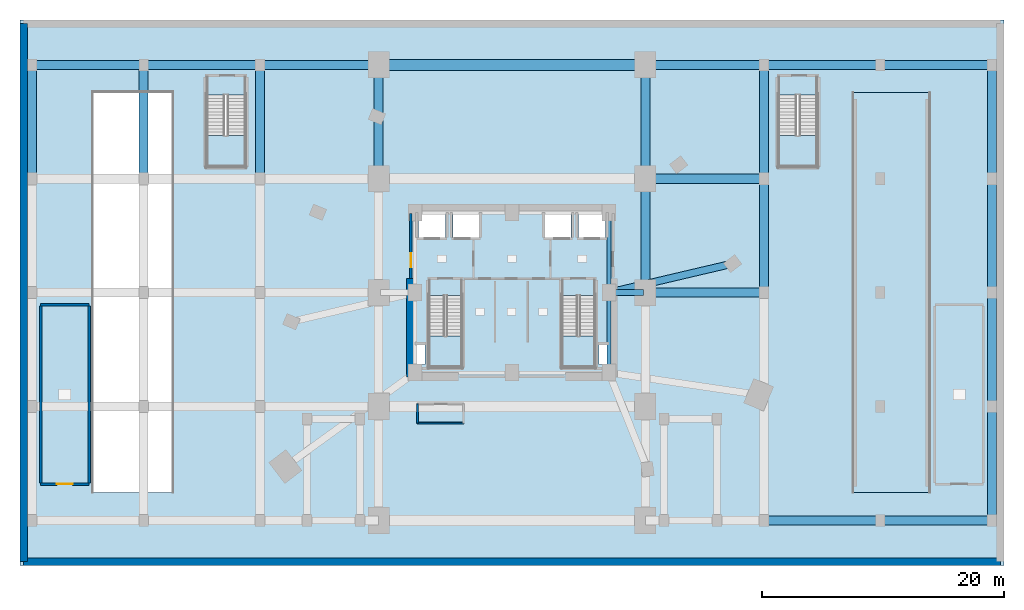
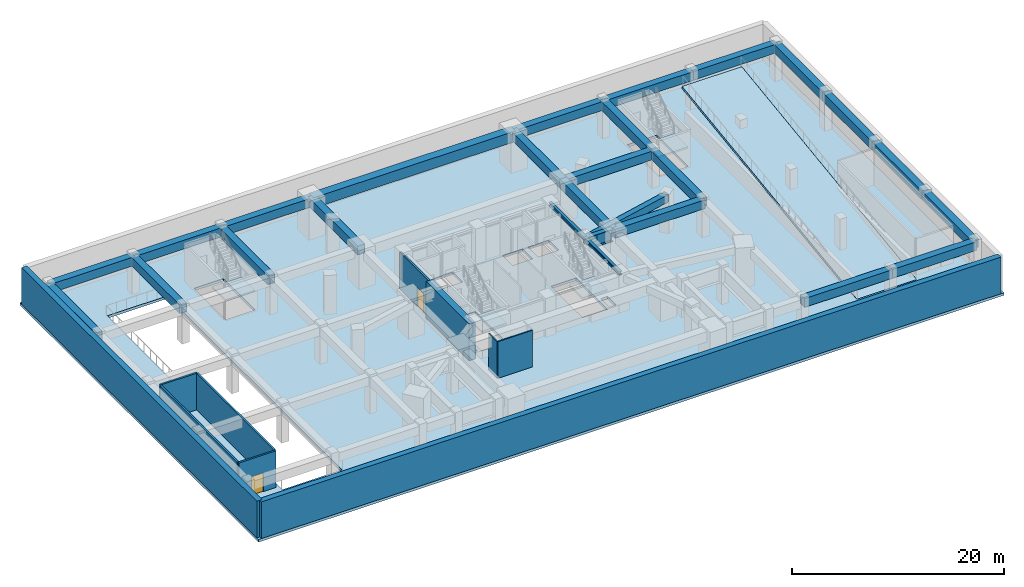
# One storey, part 2 of 9: 27 beams, 10 walls, 6 slabs, 2 doors, 2 openings, 4 elements without a shape of their own.
"""IFC4 building model written with IfcOpenShell, lengths in metres."""

from ifc_helpers import new_model, si_unit, direction, frame, frame_2d, origin, origin_2d, place, context, subcontext, project, spatial, polyline, rectangle, i_section, outline, extrude, material, layer, layer_set, material_profile, profile_set, type_object, element, fill, aggregate, save


model = new_model("IFC4")

# Units and contexts
model_context = context("Model", 3, precision=1e-05, world=origin(), true_north=direction((0.0, 1.0)))
body_context = subcontext(model_context, "Body", "Model", "MODEL_VIEW")
ifc_project = project(units=[si_unit("LENGTHUNIT", "METRE"), si_unit("AREAUNIT", "SQUARE_METRE"), si_unit("VOLUMEUNIT", "CUBIC_METRE"), si_unit("PLANEANGLEUNIT", "RADIAN"), si_unit("MASSUNIT", "GRAM", prefix="KILO")], contexts=[model_context])

# Site, building, storey
site_placement = place(None, origin())
site = spatial("IfcSite", under=ifc_project, at=site_placement, CompositionType="ELEMENT")
building_placement = place(site_placement, origin())
building = spatial("IfcBuilding", under=site, at=building_placement, Name="Ndelora Gate Hotel", CompositionType="ELEMENT")
storey_placement = place(building_placement, frame((0.0, 0.0, -4.5)))
storey = spatial("IfcBuildingStorey", under=building, at=storey_placement, Name="B01", CompositionType="ELEMENT", Elevation=-4.5)

# Beams
ifc_material_1 = material(Name="Steel S355", Category="steel")
ifc_material_profile_1 = material_profile(ifc_material_1, i_section(OverallWidth=0.300048828125, OverallDepth=0.39990234375, WebThickness=0.013427734375, FlangeThickness=0.02392578125, FilletRadius=0.027099609375, at=origin_2d()), Name="HEB 400")
ifc_profile_set_1 = profile_set([ifc_material_profile_1], Name="Steel S355")
beam_type_1 = type_object("IfcBeamType", Name="BM-CORE-400", PredefinedType="BEAM", material=ifc_profile_set_1)
for number, where, z_axis, x_axis, name in (
    (1, (8.0, -6.60009765625, 4.02001953125), (0.0, 1.0, 0.0), (-1.0, 0.0, 0.0), "B01 Core Tie Girder CC3-CC4"),
    (2, (8.0, 0.0, 4.02001953125), (0.0, 1.0, 0.0), (-1.0, 0.0, 0.0), "B01 Core Tie Girder CC4-CC5"),
):
    element("IfcBeam", number, at=place(storey_placement, frame(where, z_axis=z_axis, x_axis=x_axis)), inside=storey, type_object=beam_type_1, Name=name, PredefinedType="BEAM", context=body_context, shape_type="SweptSolid", body=[
        extrude(i_section(OverallWidth=0.300048828125, OverallDepth=0.39990234375, WebThickness=0.013427734375, FlangeThickness=0.02392578125, FilletRadius=0.027099609375, at=origin_2d()), origin(), (0.0, 0.0, 1.0), 6.60009765625),
    ])
ifc_material_2 = material(Name="Concrete C40/50", Category="concrete")
ifc_material_profile_2 = material_profile(ifc_material_2, rectangle(XDim=0.60009765625, YDim=0.85009765625, at=origin_2d()), Name="RCB 600x850")
ifc_profile_set_2 = profile_set([ifc_material_profile_2], Name="Concrete C40/50")
beam_type_2 = type_object("IfcBeamType", Name="BM-RC-600x850", PredefinedType="BEAM", material=ifc_profile_set_2)
beam_1_placement = place(storey_placement, frame((8.0, 0.0, 3.794921875), z_axis=(0.973517848051, 0.22861102232, 0.0), x_axis=(-0.22861102232, 0.973517848051, 0.0)))
element("IfcBeam", 3, at=beam_1_placement, inside=storey, type_object=beam_type_2, Name="B01 Tower Root Radial Tie Beam 10", PredefinedType="BEAM", context=body_context, shape_type="SweptSolid", body=[
    extrude(rectangle(XDim=0.60009765625, YDim=0.85009765625, at=origin_2d()), origin(), (0.0, 0.0, 1.0), 10.48486328125),
])
ifc_material_3 = material(Name="Concrete C50/60", Category="concrete")
ifc_material_profile_3 = material_profile(ifc_material_3, rectangle(XDim=0.75, YDim=1.0, at=origin_2d()), Name="RCB 750x1000")
ifc_profile_set_3 = profile_set([ifc_material_profile_3], Name="Concrete C50/60")
beam_type_3 = type_object("IfcBeamType", Name="BM-RC-750x1000", PredefinedType="BEAM", material=ifc_profile_set_3)
for number, where, z_axis, x_axis, name in (
    (4, (-39.60009765625, 9.39990234375, 3.719970703125), (0.0, 1.0, 0.0), (-1.0, 0.0, 0.0), "B01 Podium Longitudinal Girder X=-39.6"),
    (5, (-30.39990234375, 9.39990234375, 3.719970703125), (0.0, 1.0, 0.0), (-1.0, 0.0, 0.0), "B01 Podium Longitudinal Girder X=-30.4"),
    (6, (-20.800048828125, 9.39990234375, 3.719970703125), (0.0, 1.0, 0.0), (-1.0, 0.0, 0.0), "B01 Podium Longitudinal Girder X=-20.8"),
    (7, (-11.0, 9.39990234375, 3.719970703125), (0.0, 1.0, 0.0), (-1.0, 0.0, 0.0), "B01 Podium Longitudinal Girder X=-11.0"),
):
    element("IfcBeam", number, at=place(storey_placement, frame(where, z_axis=z_axis, x_axis=x_axis)), inside=storey, type_object=beam_type_3, Name=name, PredefinedType="BEAM", context=body_context, shape_type="SweptSolid", body=[
        extrude(rectangle(XDim=0.75, YDim=1.0, at=origin_2d()), origin(), (0.0, 0.0, 1.0), 9.400146484375),
    ])
beam_2_placement = place(storey_placement, frame((11.0, 0.0, 3.719970703125), z_axis=(0.0, 1.0, 0.0), x_axis=(-1.0, 0.0, 0.0)))
element("IfcBeam", 8, at=beam_2_placement, inside=storey, type_object=beam_type_3, Name="B01 Podium Longitudinal Girder X=+11.0", PredefinedType="BEAM", context=body_context, shape_type="SweptSolid", body=[
    extrude(rectangle(XDim=0.75, YDim=1.0, at=origin_2d()), origin(), (0.0, 0.0, 1.0), 9.39990234375),
])
beam_3_placement = place(storey_placement, frame((11.0, 9.39990234375, 3.719970703125), z_axis=(0.0, 1.0, 0.0), x_axis=(-1.0, 0.0, 0.0)))
element("IfcBeam", 9, at=beam_3_placement, inside=storey, type_object=beam_type_3, Name="B01 Podium Longitudinal Girder X=+11.0", PredefinedType="BEAM", context=body_context, shape_type="SweptSolid", body=[
    extrude(rectangle(XDim=0.75, YDim=1.0, at=origin_2d()), origin(), (0.0, 0.0, 1.0), 9.400146484375),
])
beam_4_placement = place(storey_placement, frame((20.800048828125, 0.0, 3.719970703125), z_axis=(0.0, 1.0, 0.0), x_axis=(-1.0, 0.0, 0.0)))
element("IfcBeam", 10, at=beam_4_placement, inside=storey, type_object=beam_type_3, Name="B01 Podium Longitudinal Girder X=+20.8", PredefinedType="BEAM", context=body_context, shape_type="SweptSolid", body=[
    extrude(rectangle(XDim=0.75, YDim=1.0, at=origin_2d()), origin(), (0.0, 0.0, 1.0), 9.39990234375),
])
for number, where, z_axis, x_axis, name in (
    (11, (20.800048828125, 9.39990234375, 3.719970703125), (0.0, 1.0, 0.0), (-1.0, 0.0, 0.0), "B01 Podium Longitudinal Girder X=+20.8"),
    (12, (39.60009765625, -18.800048828125, 3.719970703125), (0.0, 1.0, 0.0), (-1.0, 0.0, 0.0), "B01 Podium Longitudinal Girder X=+39.6"),
):
    element("IfcBeam", number, at=place(storey_placement, frame(where, z_axis=z_axis, x_axis=x_axis)), inside=storey, type_object=beam_type_3, Name=name, PredefinedType="BEAM", context=body_context, shape_type="SweptSolid", body=[
        extrude(rectangle(XDim=0.75, YDim=1.0, at=origin_2d()), origin(), (0.0, 0.0, 1.0), 9.400146484375),
    ])
for number, where, z_axis, x_axis, name in (
    (13, (39.60009765625, -9.39990234375, 3.719970703125), (0.0, 1.0, 0.0), (-1.0, 0.0, 0.0), "B01 Podium Longitudinal Girder X=+39.6"),
    (14, (39.60009765625, 0.0, 3.719970703125), (0.0, 1.0, 0.0), (-1.0, 0.0, 0.0), "B01 Podium Longitudinal Girder X=+39.6"),
):
    element("IfcBeam", number, at=place(storey_placement, frame(where, z_axis=z_axis, x_axis=x_axis)), inside=storey, type_object=beam_type_3, Name=name, PredefinedType="BEAM", context=body_context, shape_type="SweptSolid", body=[
        extrude(rectangle(XDim=0.75, YDim=1.0, at=origin_2d()), origin(), (0.0, 0.0, 1.0), 9.39990234375),
    ])
beam_5_placement = place(storey_placement, frame((39.60009765625, 9.39990234375, 3.719970703125), z_axis=(0.0, 1.0, 0.0), x_axis=(-1.0, 0.0, 0.0)))
element("IfcBeam", 15, at=beam_5_placement, inside=storey, type_object=beam_type_3, Name="B01 Podium Longitudinal Girder X=+39.6", PredefinedType="BEAM", context=body_context, shape_type="SweptSolid", body=[
    extrude(rectangle(XDim=0.75, YDim=1.0, at=origin_2d()), origin(), (0.0, 0.0, 1.0), 9.400146484375),
])
beam_6_placement = place(storey_placement, frame((20.800048828125, -18.800048828125, 3.719970703125), z_axis=(1.0, 0.0, 0.0), x_axis=(0.0, 1.0, 0.0)))
element("IfcBeam", 16, at=beam_6_placement, inside=storey, type_object=beam_type_3, Name="B01 Podium Transverse Girder Y=-18.8", PredefinedType="BEAM", context=body_context, shape_type="SweptSolid", body=[
    extrude(rectangle(XDim=0.75, YDim=1.0, at=origin_2d()), origin(), (0.0, 0.0, 1.0), 9.599853515625),
])
beam_7_placement = place(storey_placement, frame((30.39990234375, -18.800048828125, 3.719970703125), z_axis=(1.0, 0.0, 0.0), x_axis=(0.0, 1.0, 0.0)))
element("IfcBeam", 17, at=beam_7_placement, inside=storey, type_object=beam_type_3, Name="B01 Podium Transverse Girder Y=-18.8", PredefinedType="BEAM", context=body_context, shape_type="SweptSolid", body=[
    extrude(rectangle(XDim=0.75, YDim=1.0, at=origin_2d()), origin(), (0.0, 0.0, 1.0), 9.2001953125),
])
for number, where, z_axis, x_axis, name in (
    (18, (11.0, 0.0, 3.719970703125), (1.0, 0.0, 0.0), (0.0, 1.0, 0.0), "B01 Podium Transverse Girder Y=+0.0"),
    (19, (11.0, 9.39990234375, 3.719970703125), (1.0, 0.0, 0.0), (0.0, 1.0, 0.0), "B01 Podium Transverse Girder Y=+9.4"),
):
    element("IfcBeam", number, at=place(storey_placement, frame(where, z_axis=z_axis, x_axis=x_axis)), inside=storey, type_object=beam_type_3, Name=name, PredefinedType="BEAM", context=body_context, shape_type="SweptSolid", body=[
        extrude(rectangle(XDim=0.75, YDim=1.0, at=origin_2d()), origin(), (0.0, 0.0, 1.0), 9.800048828125),
    ])
beam_8_placement = place(storey_placement, frame((-39.60009765625, 18.800048828125, 3.719970703125), z_axis=(1.0, 0.0, 0.0), x_axis=(0.0, 1.0, 0.0)))
element("IfcBeam", 20, at=beam_8_placement, inside=storey, type_object=beam_type_3, Name="B01 Podium Transverse Girder Y=+18.8", PredefinedType="BEAM", context=body_context, shape_type="SweptSolid", body=[
    extrude(rectangle(XDim=0.75, YDim=1.0, at=origin_2d()), origin(), (0.0, 0.0, 1.0), 9.2001953125),
])
beam_9_placement = place(storey_placement, frame((-30.39990234375, 18.800048828125, 3.719970703125), z_axis=(1.0, 0.0, 0.0), x_axis=(0.0, 1.0, 0.0)))
element("IfcBeam", 21, at=beam_9_placement, inside=storey, type_object=beam_type_3, Name="B01 Podium Transverse Girder Y=+18.8", PredefinedType="BEAM", context=body_context, shape_type="SweptSolid", body=[
    extrude(rectangle(XDim=0.75, YDim=1.0, at=origin_2d()), origin(), (0.0, 0.0, 1.0), 9.599853515625),
])
for number, where, z_axis, x_axis, name in (
    (22, (-20.800048828125, 18.800048828125, 3.719970703125), (1.0, 0.0, 0.0), (0.0, 1.0, 0.0), "B01 Podium Transverse Girder Y=+18.8"),
    (23, (11.0, 18.800048828125, 3.719970703125), (1.0, 0.0, 0.0), (0.0, 1.0, 0.0), "B01 Podium Transverse Girder Y=+18.8"),
):
    element("IfcBeam", number, at=place(storey_placement, frame(where, z_axis=z_axis, x_axis=x_axis)), inside=storey, type_object=beam_type_3, Name=name, PredefinedType="BEAM", context=body_context, shape_type="SweptSolid", body=[
        extrude(rectangle(XDim=0.75, YDim=1.0, at=origin_2d()), origin(), (0.0, 0.0, 1.0), 9.800048828125),
    ])
beam_10_placement = place(storey_placement, frame((20.800048828125, 18.800048828125, 3.719970703125), z_axis=(1.0, 0.0, 0.0), x_axis=(0.0, 1.0, 0.0)))
element("IfcBeam", 24, at=beam_10_placement, inside=storey, type_object=beam_type_3, Name="B01 Podium Transverse Girder Y=+18.8", PredefinedType="BEAM", context=body_context, shape_type="SweptSolid", body=[
    extrude(rectangle(XDim=0.75, YDim=1.0, at=origin_2d()), origin(), (0.0, 0.0, 1.0), 9.599853515625),
])
beam_11_placement = place(storey_placement, frame((30.39990234375, 18.800048828125, 3.719970703125), z_axis=(1.0, 0.0, 0.0), x_axis=(0.0, 1.0, 0.0)))
element("IfcBeam", 25, at=beam_11_placement, inside=storey, type_object=beam_type_3, Name="B01 Podium Transverse Girder Y=+18.8", PredefinedType="BEAM", context=body_context, shape_type="SweptSolid", body=[
    extrude(rectangle(XDim=0.75, YDim=1.0, at=origin_2d()), origin(), (0.0, 0.0, 1.0), 9.2001953125),
])
ifc_material_profile_4 = material_profile(ifc_material_3, rectangle(XDim=0.89990234375, YDim=1.199951171875, at=origin_2d()), Name="RCB 900x1200")
ifc_profile_set_4 = profile_set([ifc_material_profile_4], Name="Concrete C50/60")
beam_type_4 = type_object("IfcBeamType", Name="BM-RC-900x1200", PredefinedType="BEAM", material=ifc_profile_set_4)
beam_12_placement = place(storey_placement, frame((-11.0, 18.800048828125, 3.6201171875), z_axis=(1.0, 0.0, 0.0), x_axis=(0.0, 1.0, 0.0)))
element("IfcBeam", 26, at=beam_12_placement, inside=storey, type_object=beam_type_4, Name="B01 structural beam RCB-1", PredefinedType="BEAM", context=body_context, shape_type="SweptSolid", body=[
    extrude(rectangle(XDim=0.89990234375, YDim=1.199951171875, at=origin_2d()), origin(), (0.0, 0.0, 1.0), 22.0),
])
ifc_material_4 = material(Name="Steel S460", Category="steel")
ifc_material_profile_5 = material_profile(ifc_material_4, i_section(OverallWidth=0.5, OverallDepth=1.39990234375, WebThickness=0.02392578125, FlangeThickness=0.035888671875, FilletRadius=0.02197265625, at=origin_2d()), Name="PG 1400x500x36")
ifc_profile_set_5 = profile_set([ifc_material_profile_5], Name="Steel S460")
beam_type_5 = type_object("IfcBeamType", Name="BM-TR-1400", PredefinedType="BEAM", material=ifc_profile_set_5)
beam_13_placement = place(storey_placement, frame((8.5, 0.0, 3.52001953125), z_axis=(1.0, 0.0, 0.0), x_axis=(0.0, 1.0, 0.0)))
element("IfcBeam", 27, at=beam_13_placement, inside=storey, type_object=beam_type_5, Name="B01 structural beam TG-3", PredefinedType="BEAM", context=body_context, shape_type="SweptSolid", body=[
    extrude(i_section(OverallWidth=0.5, OverallDepth=1.39990234375, WebThickness=0.02392578125, FlangeThickness=0.035888671875, FilletRadius=0.02197265625, at=origin_2d()), origin(), (0.0, 0.0, 1.0), 2.35009765625),
])

# Slab
ifc_layer_1 = layer(ifc_material_2, 0.300048828125)
ifc_layer_set_1 = layer_set([ifc_layer_1], Name="Concrete C40/50")
slab_type_1 = type_object("IfcSlabType", Name="SL-BSM-300", PredefinedType="FLOOR", material=ifc_layer_set_1)
slab_1_placement = place(storey_placement, frame((0.0, 0.0, -0.300048828125)))
element("IfcSlab", 28, at=slab_1_placement, inside=storey, type_object=slab_type_1, Name="B01 Structural Floor Slab", PredefinedType="FLOOR", context=body_context, shape_type="SweptSolid", body=[
    extrude(outline(polyline([(-40.60009765625, -22.5), (40.60009765625, -22.5), (40.60009765625, 22.5), (-40.60009765625, 22.5), (-40.60009765625, -22.5)]), holes=[polyline([(-6.85009765625, -0.22998046875), (-6.85009765625, -6.14990234375), (-4.1298828125, -6.14990234375), (-4.1298828125, -0.22998046875), (-6.85009765625, -0.22998046875)]), polyline([(4.1298828125, -0.22998046875), (4.1298828125, -6.14990234375), (6.85009765625, -6.14990234375), (6.85009765625, -0.22998046875), (4.1298828125, -0.22998046875)]), polyline([(-25.199951171875, 16.320068359375), (-25.199951171875, 10.39990234375), (-22.0, 10.39990234375), (-22.0, 16.320068359375), (-25.199951171875, 16.320068359375)]), polyline([(22.0, 16.320068359375), (22.0, 10.39990234375), (25.199951171875, 10.39990234375), (25.199951171875, 16.320068359375), (22.0, 16.320068359375)]), polyline([(-7.72998046875, 4.570068359375), (-5.469970703125, 4.570068359375), (-5.469970703125, 6.429931640625), (-7.72998046875, 6.429931640625), (-7.72998046875, 4.570068359375)]), polyline([(5.469970703125, 4.570068359375), (7.72998046875, 4.570068359375), (7.72998046875, 6.429931640625), (5.469970703125, 6.429931640625), (5.469970703125, 4.570068359375)]), polyline([(-4.8798828125, 4.570068359375), (-2.719970703125, 4.570068359375), (-2.719970703125, 6.429931640625), (-4.8798828125, 6.429931640625), (-4.8798828125, 4.570068359375)]), polyline([(2.719970703125, 4.570068359375), (4.8798828125, 4.570068359375), (4.8798828125, 6.429931640625), (2.719970703125, 6.429931640625), (2.719970703125, 4.570068359375)]), polyline([(-7.89990234375, -5.919921875), (-7.179931640625, -5.919921875), (-7.179931640625, -4.320068359375), (-7.89990234375, -4.320068359375), (-7.89990234375, -5.919921875)]), polyline([(7.179931640625, -5.919921875), (7.89990234375, -5.919921875), (7.89990234375, -4.320068359375), (7.179931640625, -4.320068359375), (7.179931640625, -5.919921875)]), polyline([(-34.550048828125, -16.5), (-28.050048828125, -16.5), (-28.050048828125, 16.5), (-34.550048828125, 16.5), (-34.550048828125, -16.5)])]), origin(), (0.0, 0.0, 1.0), 0.300048828125),
])

# Stair, slab
ifc_material_5 = material(Name="Precast concrete C40/50", Category="concrete")
stair_type = type_object("IfcStairType", Name="STR-DOG-CORE", PredefinedType="HALF_TURN_STAIR", material=ifc_material_5)
stair_1_placement = place(storey_placement, origin())
stair_1 = element("IfcStair", 29, at=stair_1_placement, inside=storey, type_object=stair_type, Name="B01 Protected Core Exit Stair ST4", PredefinedType="HALF_TURN_STAIR")
ifc_layer_2 = layer(ifc_material_5, 0.219970703125)
ifc_layer_set_2 = layer_set([ifc_layer_2], Name="Precast concrete C40/50")
slab_type_2 = type_object("IfcSlabType", Name="SL-LAND-220", PredefinedType="LANDING", material=ifc_layer_set_2)
slab_2_placement = place(storey_placement, frame((0.0, 0.0, 2.050048828125)))
slab_2 = element("IfcSlab", 30, at=slab_2_placement, type_object=slab_type_2, Name="ST4 landing 1", PredefinedType="LANDING", context=body_context, shape_type="SweptSolid", body=[
    extrude(outline(polyline([(-6.85009765625, -3.590087890625), (-6.85009765625, -6.14990234375), (-4.1298828125, -6.14990234375), (-4.1298828125, -3.590087890625), (-6.85009765625, -3.590087890625)])), origin(), (0.0, 0.0, 1.0), 0.199951171875),
])
aggregate(stair_1, [slab_2])

stair_2_placement = place(storey_placement, origin())
stair_2 = element("IfcStair", 31, at=stair_2_placement, inside=storey, type_object=stair_type, Name="B01 Protected Core Exit Stair ST5", PredefinedType="HALF_TURN_STAIR")
slab_3_placement = place(storey_placement, frame((0.0, 0.0, 2.050048828125)))
slab_3 = element("IfcSlab", 32, at=slab_3_placement, type_object=slab_type_2, Name="ST5 landing 1", PredefinedType="LANDING", context=body_context, shape_type="SweptSolid", body=[
    extrude(outline(polyline([(4.1298828125, -3.590087890625), (4.1298828125, -6.14990234375), (6.85009765625, -6.14990234375), (6.85009765625, -3.590087890625), (4.1298828125, -3.590087890625)])), origin(), (0.0, 0.0, 1.0), 0.199951171875),
])
aggregate(stair_2, [slab_3])

stair_3_placement = place(storey_placement, origin())
stair_3 = element("IfcStair", 33, at=stair_3_placement, inside=storey, type_object=stair_type, Name="B01 Basement Escape Stair ST1", PredefinedType="HALF_TURN_STAIR")
slab_4_placement = place(storey_placement, frame((0.0, 0.0, 2.050048828125)))
slab_4 = element("IfcSlab", 34, at=slab_4_placement, type_object=slab_type_2, Name="ST1 landing 1", PredefinedType="LANDING", context=body_context, shape_type="SweptSolid", body=[
    extrude(outline(polyline([(-25.199951171875, 12.9599609375), (-25.199951171875, 10.39990234375), (-22.0, 10.39990234375), (-22.0, 12.9599609375), (-25.199951171875, 12.9599609375)])), origin(), (0.0, 0.0, 1.0), 0.199951171875),
])
aggregate(stair_3, [slab_4])

stair_4_placement = place(storey_placement, origin())
stair_4 = element("IfcStair", 35, at=stair_4_placement, inside=storey, type_object=stair_type, Name="B01 Basement Escape Stair ST2", PredefinedType="HALF_TURN_STAIR")
slab_5_placement = place(storey_placement, frame((0.0, 0.0, 2.050048828125)))
slab_5 = element("IfcSlab", 36, at=slab_5_placement, type_object=slab_type_2, Name="ST2 landing 1", PredefinedType="LANDING", context=body_context, shape_type="SweptSolid", body=[
    extrude(outline(polyline([(22.0, 12.9599609375), (22.0, 10.39990234375), (25.199951171875, 10.39990234375), (25.199951171875, 12.9599609375), (22.0, 12.9599609375)])), origin(), (0.0, 0.0, 1.0), 0.199951171875),
])
aggregate(stair_4, [slab_5])

# Slab
ifc_layer_3 = layer(ifc_material_2, 0.25)
ifc_layer_set_3 = layer_set([ifc_layer_3], Name="Concrete C40/50")
slab_type_3 = type_object("IfcSlabType", Name="SL-VEH-RAMP-250", PredefinedType="FLOOR", material=ifc_layer_set_3)
slab_6_placement = place(storey_placement, frame((28.050048828125, -16.5, 0.0), z_axis=(0.0, -0.135113204733, 0.990830168044), x_axis=(1.0, 0.0, 0.0)))
element("IfcSlab", 37, at=slab_6_placement, inside=storey, type_object=slab_type_3, Name="Car Park Vehicle Ramp Slab R1", PredefinedType="FLOOR", context=body_context, shape_type="SweptSolid", body=[
    extrude(outline(polyline([(0.0, 0.0), (6.5, 0.0), (6.5, 33.30540496676178), (0.0, 33.30540496676178), (0.0, 0.0)])), origin(), (0.0, 0.0, -1.0), 0.25),
])

# Wall
ifc_material_6 = material(Name="Concrete C60/75", Category="concrete")
ifc_layer_4 = layer(ifc_material_6, 0.699951171875)
ifc_layer_set_4 = layer_set([ifc_layer_4], Name="Concrete C60/75")
wall_type_1 = type_object("IfcWallType", Name="WL-CORE-700", PredefinedType="SHEAR", material=ifc_layer_set_4)
wall_1_placement = place(storey_placement, frame((-8.35009765625, -6.949951171875, 0.0), z_axis=(0.0, 0.0, 1.0), x_axis=(0.0, 1.0, 0.0)))
element("IfcWall", 38, at=wall_1_placement, inside=storey, type_object=wall_type_1, Name="B01 Core Shear Wall W", PredefinedType="SHEAR", context=body_context, shape_type="SweptSolid", body=[
    extrude(rectangle(XDim=8.099853515625, YDim=0.699951171875, at=frame_2d((4.0498046875, 0.0))), origin(), (0.0, 0.0, 1.0), 4.219970703125),
])

# Wall, opening, door
ifc_layer_5 = layer(ifc_material_2, 0.199951171875)
ifc_layer_set_5 = layer_set([ifc_layer_5], Name="Concrete C40/50")
wall_type_2 = type_object("IfcWallType", Name="WL-FIRE-200", PredefinedType="PARTITIONING", material=ifc_layer_set_5)
wall_2_placement = place(storey_placement, frame((-8.35009765625, 1.14990234375, 0.0), z_axis=(0.0, 0.0, 1.0), x_axis=(0.0, 1.0, 0.0)))
wall_2 = element("IfcWall", 39, at=wall_2_placement, inside=storey, type_object=wall_type_2, Name="B01 Interior Wall IW-2", PredefinedType="PARTITIONING", context=body_context, shape_type="SweptSolid", body=[
    extrude(rectangle(XDim=5.400146484375, YDim=0.199951171875, at=frame_2d((2.7001953125, 0.0))), origin(), (0.0, 0.0, 1.0), 4.219970703125),
])
opening_1_placement = place(wall_2_placement, frame((0.949951171875, 0.0, 0.0)))
opening_1 = element("IfcOpeningElement", 40, at=opening_1_placement, cuts=wall_2, Name="Opening FD1", PredefinedType="OPENING", context=body_context, shape_type="SweptSolid", body=[
    extrude(rectangle(XDim=1.14990234375, YDim=2.14990234375, at=frame_2d((0.574951171875, 1.074951171875))), frame((0.0, 0.10986328125, 0.0), z_axis=(0.0, -1.0, 0.0), x_axis=(1.0, 0.0, 0.0)), (0.0, 0.0, 1.0), 0.219970703125),
])
ifc_material_7 = material(Name="Fire-Rated Timber-Veneer Steel Core", Category="steel")
door_type_1 = type_object("IfcDoorType", Name="DR-FD60", OperationType="SINGLE_SWING_LEFT", PredefinedType="DOOR", material=ifc_material_7)
door_1_placement = place(opening_1_placement, origin())
door_1 = element("IfcDoor", 41, at=door_1_placement, inside=storey, type_object=door_type_1, Name="B01 Firefighting Lobby West Corridor Door", OperationType="SINGLE_SWING_LEFT", OverallHeight=2.14990234375, OverallWidth=1.14990234375, PredefinedType="DOOR", context=body_context, shape_type="SweptSolid", body=[
    extrude(rectangle(XDim=1.14990234375, YDim=2.14990234375, at=frame_2d((0.574951171875, 1.074951171875))), frame((0.0, 0.02490234375, 0.0), z_axis=(0.0, -1.0, 0.0), x_axis=(1.0, 0.0, 0.0)), (0.0, 0.0, 1.0), 0.050048828125),
])
fill(opening_1, door_1)

# Wall
wall_3_placement = place(storey_placement, frame((-38.89990234375, -1.0, 0.0), z_axis=(0.0, 0.0, 1.0), x_axis=(1.0, 0.0, 0.0)))
element("IfcWall", 42, at=wall_3_placement, inside=storey, type_object=wall_type_2, Name="B01 Interior Wall IW-2", PredefinedType="PARTITIONING", context=body_context, shape_type="SweptSolid", body=[
    extrude(rectangle(XDim=4.0, YDim=0.199951171875, at=frame_2d((2.0, 0.0))), origin(), (0.0, 0.0, 1.0), 4.219970703125),
])

# Wall, opening, door
wall_4_placement = place(storey_placement, frame((-38.89990234375, -15.800048828125, 0.0), z_axis=(0.0, 0.0, 1.0), x_axis=(1.0, 0.0, 0.0)))
wall_4 = element("IfcWall", 43, at=wall_4_placement, inside=storey, type_object=wall_type_2, Name="B01 Interior Wall IW-2", PredefinedType="PARTITIONING", context=body_context, shape_type="SweptSolid", body=[
    extrude(rectangle(XDim=4.0, YDim=0.199951171875, at=frame_2d((2.0, 0.0))), origin(), (0.0, 0.0, 1.0), 4.219970703125),
])
opening_2_placement = place(wall_4_placement, frame((1.35009765625, 0.0, 0.0)))
opening_2 = element("IfcOpeningElement", 44, at=opening_2_placement, cuts=wall_4, Name="Opening FD3", PredefinedType="OPENING", context=body_context, shape_type="SweptSolid", body=[
    extrude(rectangle(XDim=1.300048828125, YDim=2.14990234375, at=frame_2d((0.64990234375, 1.074951171875))), frame((0.0, 0.10986328125, 0.0), z_axis=(0.0, -1.0, 0.0), x_axis=(1.0, 0.0, 0.0)), (0.0, 0.0, 1.0), 0.219970703125),
])
ifc_material_8 = material(Name="Insulated Steel Plant Room Fire Door", Category="steel")
door_type_2 = type_object("IfcDoorType", Name="DR-PLT-1300", OperationType="SINGLE_SWING_LEFT", PredefinedType="DOOR", material=ifc_material_8)
door_2_placement = place(opening_2_placement, origin())
door_2 = element("IfcDoor", 45, at=door_2_placement, inside=storey, type_object=door_type_2, Name="B01 BOH Receiving and Housekeeping Stores Door", OperationType="SINGLE_SWING_LEFT", OverallHeight=2.14990234375, OverallWidth=1.300048828125, PredefinedType="DOOR", context=body_context, shape_type="SweptSolid", body=[
    extrude(rectangle(XDim=1.300048828125, YDim=2.14990234375, at=frame_2d((0.64990234375, 1.074951171875))), frame((0.0, 0.02490234375, 0.0), z_axis=(0.0, -1.0, 0.0), x_axis=(1.0, 0.0, 0.0)), (0.0, 0.0, 1.0), 0.050048828125),
])
fill(opening_2, door_2)

# Walls
for number, where, z_axis, x_axis, name in (
    (46, (-38.89990234375, -1.110107421875, 0.0), (0.0, 0.0, 1.0), (0.0, -1.0, 0.0), "B01 Interior Wall IW-2"),
    (47, (-34.89990234375, -15.68994140625, 0.0), (0.0, 0.0, 1.0), (0.0, 1.0, 0.0), "B01 Interior Wall IW-2"),
):
    element("IfcWall", number, at=place(storey_placement, frame(where, z_axis=z_axis, x_axis=x_axis)), inside=storey, type_object=wall_type_2, Name=name, PredefinedType="PARTITIONING", context=body_context, shape_type="SweptSolid", body=[
        extrude(rectangle(XDim=14.579833984375, YDim=0.199951171875, at=frame_2d((7.2900390625, 0.0))), origin(), (0.0, 0.0, 1.0), 4.219970703125),
    ])
ifc_layer_6 = layer(ifc_material_2, 0.60009765625)
ifc_layer_set_6 = layer_set([ifc_layer_6], Name="Concrete C40/50")
wall_type_3 = type_object("IfcWallType", Name="WL-RET-600", PredefinedType="SOLIDWALL", material=ifc_layer_set_6)
wall_5_placement = place(storey_placement, frame((-40.300048828125, -22.199951171875, 0.0), z_axis=(0.0, 0.0, 1.0), x_axis=(1.0, 0.0, 0.0)))
element("IfcWall", 48, at=wall_5_placement, inside=storey, type_object=wall_type_3, Name="B01 Perimeter Retaining Wall RW-1 (1)", PredefinedType="SOLIDWALL", context=body_context, shape_type="SweptSolid", body=[
    extrude(rectangle(XDim=80.60009765625, YDim=0.60009765625, at=frame_2d((40.300048828125, 0.0))), origin(), (0.0, 0.0, 1.0), 4.219970703125),
])
wall_6_placement = place(storey_placement, frame((-40.300048828125, 22.199951171875, 0.0), z_axis=(0.0, 0.0, 1.0), x_axis=(0.0, -1.0, 0.0)))
element("IfcWall", 49, at=wall_6_placement, inside=storey, type_object=wall_type_3, Name="B01 Perimeter Retaining Wall RW-1 (4)", PredefinedType="SOLIDWALL", context=body_context, shape_type="SweptSolid", body=[
    extrude(rectangle(XDim=44.39990234375, YDim=0.60009765625, at=frame_2d((22.199951171875, 0.0))), origin(), (0.0, 0.0, 1.0), 4.219970703125),
])
ifc_material_9 = material(Name="Moisture-Resistant Fire-Rated Tile Partition", Category="gypsum")
ifc_layer_7 = layer(ifc_material_9, 0.1298828125)
ifc_layer_set_7 = layer_set([ifc_layer_7], Name="Moisture-Resistant Fire-Rated Tile Partition")
wall_type_4 = type_object("IfcWallType", Name="WL-WET-RATED", PredefinedType="PARTITIONING", material=ifc_layer_set_7)
wall_7_placement = place(storey_placement, frame((-7.800048828125, -10.77001953125, 0.0), z_axis=(0.0, 0.0, 1.0), x_axis=(1.0, 0.0, 0.0)))
element("IfcWall", 50, at=wall_7_placement, inside=storey, type_object=wall_type_4, Name="B01 Interior Wall IW-6", PredefinedType="PARTITIONING", context=body_context, shape_type="SweptSolid", body=[
    extrude(rectangle(XDim=3.800048828125, YDim=0.1298828125, at=frame_2d((1.89990234375, 0.0))), origin(), (0.0, 0.0, 1.0), 4.219970703125),
])
wall_8_placement = place(storey_placement, frame((-7.800048828125, -10.77001953125, 0.0), z_axis=(0.0, 0.0, 1.0), x_axis=(0.0, 1.0, 0.0)))
element("IfcWall", 51, at=wall_8_placement, inside=storey, type_object=wall_type_4, Name="B01 Interior Wall IW-6", PredefinedType="PARTITIONING", context=body_context, shape_type="SweptSolid", body=[
    extrude(rectangle(XDim=1.590087890625, YDim=0.1298828125, at=frame_2d((0.794921875, 0.0))), origin(), (0.0, 0.0, 1.0), 4.219970703125),
])

save(model, "model.ifc")
